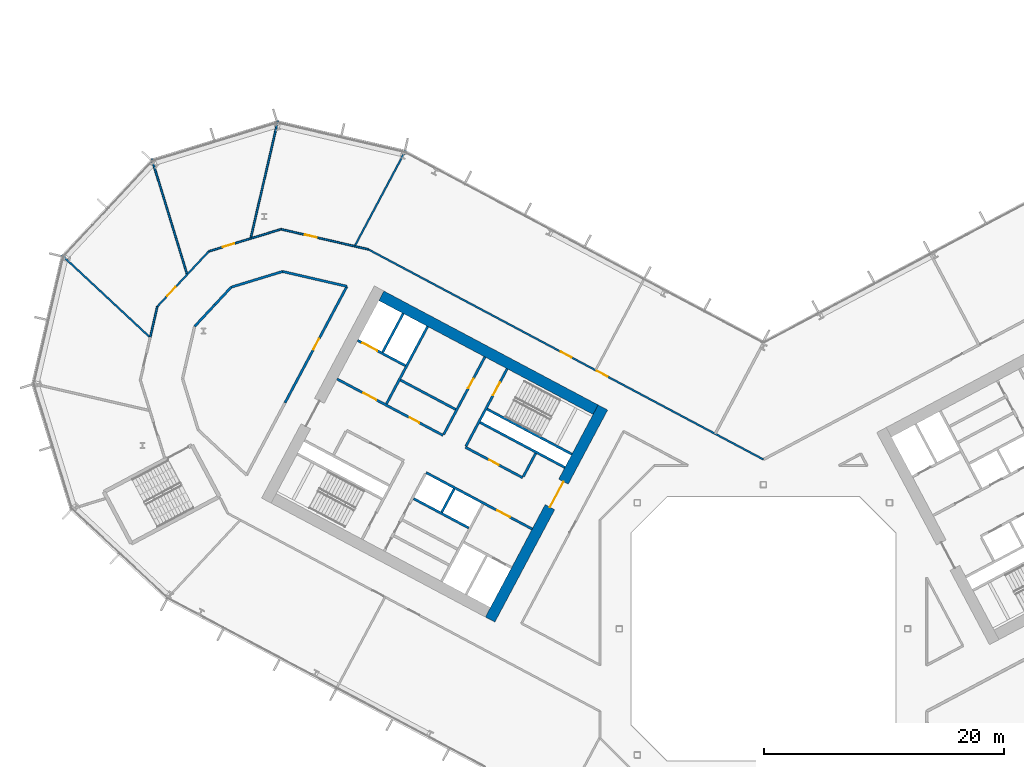
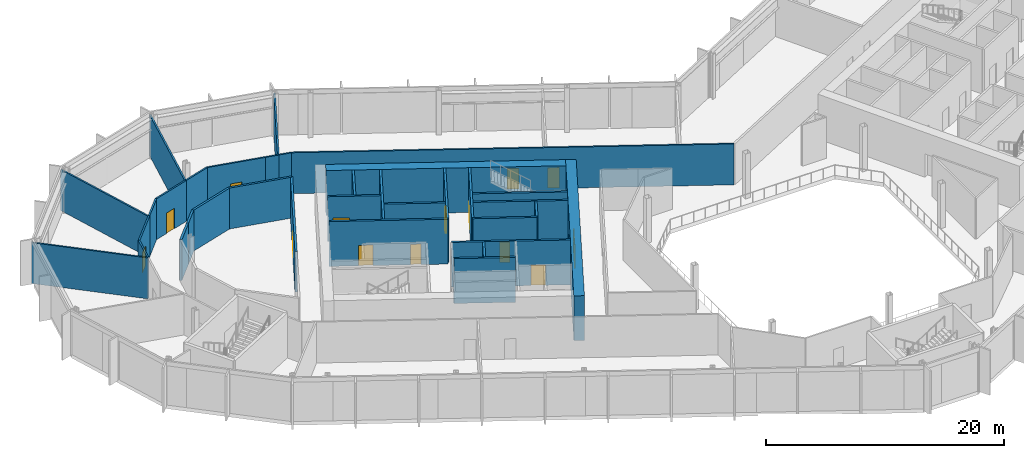
# One storey, part 15 of 30: 34 walls, 14 doors, 14 openings.
"""IFC4 building model written with IfcOpenShell, lengths in metres."""

from ifc_helpers import new_model, si_unit, direction, frame, frame_2d, origin, place, context, subcontext, project, spatial, rectangle, extrude, material, layer, layer_set, type_object, element, fill, save


model = new_model("IFC4")

# Units and contexts
model_context = context("Model", 3, precision=1e-05, world=origin(), true_north=direction((0.0, 1.0)))
body_context = subcontext(model_context, "Body", "Model", "MODEL_VIEW")
ifc_project = project(units=[si_unit("LENGTHUNIT", "METRE"), si_unit("AREAUNIT", "SQUARE_METRE"), si_unit("VOLUMEUNIT", "CUBIC_METRE"), si_unit("PLANEANGLEUNIT", "RADIAN"), si_unit("MASSUNIT", "GRAM", prefix="KILO")], contexts=[model_context])

# Site, building, storey
site_placement = place(None, origin())
site = spatial("IfcSite", under=ifc_project, at=site_placement, CompositionType="ELEMENT")
building_placement = place(site_placement, origin())
building = spatial("IfcBuilding", under=site, at=building_placement, Name="Cormorant Relay Tower", CompositionType="ELEMENT")
storey_placement = place(building_placement, frame((0.0, 0.0, 80.0)))
storey = spatial("IfcBuildingStorey", under=building, at=storey_placement, Name="L15", CompositionType="ELEMENT", Elevation=80.0)

# Walls
ifc_material_1 = material(Name="Concrete 40 MPa", Category="concrete")
ifc_layer_1 = layer(ifc_material_1, 0.199951171875)
ifc_layer_set_1 = layer_set([ifc_layer_1], Name="Core internal wall 200")
wall_type_1 = type_object("IfcWallType", Name="Core internal wall 200", PredefinedType="SOLIDWALL", material=ifc_layer_set_1)
wall_1_placement = place(storey_placement, frame((-25.744140625, 11.64990234375, 0.0), z_axis=(0.0, 0.0, 1.0), x_axis=(-0.469487830541, -0.882938942948, 0.0)))
element("IfcWall", 1, at=wall_1_placement, inside=storey, type_object=wall_type_1, Name="L15 core A shaft and room wall", PredefinedType="SOLIDWALL", context=body_context, shape_type="SweptSolid", body=[
    extrude(rectangle(XDim=2.2001953125, YDim=0.199951171875, at=frame_2d((1.10009765625, 0.0))), origin(), (0.0, 0.0, 1.0), 4.60009765625),
])
ifc_material_2 = material(Name="Concrete 50 MPa", Category="concrete")
ifc_layer_2 = layer(ifc_material_2, 0.199951171875)
ifc_layer_set_2 = layer_set([ifc_layer_2], Name="Core shaft wall 200")
wall_type_2 = type_object("IfcWallType", Name="Core shaft wall 200", PredefinedType="SHEAR", material=ifc_layer_set_2)
wall_2_placement = place(storey_placement, frame((-18.959716796875, 14.611328125, 0.0), z_axis=(0.0, 0.0, 1.0), x_axis=(-0.4694473164, -0.882960484464, 0.0)))
element("IfcWall", 2, at=wall_2_placement, inside=storey, type_object=wall_type_2, Name="L15 core A shaft wall", PredefinedType="SHEAR", context=body_context, shape_type="SweptSolid", body=[
    extrude(rectangle(XDim=2.199951171875, YDim=0.199951171875, at=frame_2d((1.10009765625, 0.0))), origin(), (0.0, 0.0, 1.0), 4.60009765625),
])

# Wall, opening, door
wall_3_placement = place(storey_placement, frame((-21.333251953125, 21.6494140625, 0.0), z_axis=(0.0, 0.0, 1.0), x_axis=(-0.469494272526, -0.882935517501, 0.0)))
wall_3 = element("IfcWall", 3, at=wall_3_placement, inside=storey, type_object=wall_type_2, Name="L15 core A shaft wall", PredefinedType="SHEAR", context=body_context, shape_type="SweptSolid", body=[
    extrude(rectangle(XDim=7.2998046875, YDim=0.199951171875, at=frame_2d((3.64990234375, 0.0))), origin(), (0.0, 0.0, 1.0), 4.60009765625),
])
opening_1_placement = place(wall_3_placement, frame((1.300048828125, 0.0, 0.0)))
opening_1 = element("IfcOpeningElement", 4, at=opening_1_placement, cuts=wall_3, Name="Opening CDB-024", PredefinedType="OPENING", context=body_context, shape_type="SweptSolid", body=[
    extrude(rectangle(XDim=1.199951171875, YDim=2.10009765625, at=frame_2d((0.60009765625, 1.050048828125))), frame((0.0, 0.10986328125, 0.0), z_axis=(0.0, -1.0, 0.0), x_axis=(1.0, 0.0, 0.0)), (0.0, 0.0, 1.0), 0.219970703125),
])
ifc_material_3 = material(Name="Steel fire door", Category="steel")
door_type_1 = type_object("IfcDoorType", Name="Core stair door 1200x2100", OperationType="SINGLE_SWING_LEFT", PredefinedType="DOOR", material=ifc_material_3)
door_1_placement = place(opening_1_placement, origin())
door_1 = element("IfcDoor", 5, at=door_1_placement, inside=storey, type_object=door_type_1, Name="Core stair door 1200x2100", OperationType="SINGLE_SWING_RIGHT", OverallHeight=2.10009765625, OverallWidth=1.199951171875, PredefinedType="DOOR", context=body_context, shape_type="SweptSolid", body=[
    extrude(rectangle(XDim=1.199951171875, YDim=2.10009765625, at=frame_2d((0.60009765625, 1.050048828125))), frame((0.0, 0.02490234375, 0.0), z_axis=(0.0, -1.0, 0.0), x_axis=(1.0, 0.0, 0.0)), (0.0, 0.0, 1.0), 0.050048828125),
])
fill(opening_1, door_1)

wall_4_placement = place(storey_placement, frame((-23.1875, 22.635498046875, 0.0), z_axis=(0.0, 0.0, 1.0), x_axis=(-0.469454336211, -0.882956752176, 0.0)))
wall_4 = element("IfcWall", 6, at=wall_4_placement, inside=storey, type_object=wall_type_2, Name="L15 core A shaft wall", PredefinedType="SHEAR", context=body_context, shape_type="SweptSolid", body=[
    extrude(rectangle(XDim=7.300048828125, YDim=0.199951171875, at=frame_2d((3.64990234375, 0.0))), origin(), (0.0, 0.0, 1.0), 4.60009765625),
])
opening_2_placement = place(wall_4_placement, frame((2.050048828125, 0.0, 0.0)))
opening_2 = element("IfcOpeningElement", 7, at=opening_2_placement, cuts=wall_4, Name="Opening CDD-132", PredefinedType="OPENING", context=body_context, shape_type="SweptSolid", body=[
    extrude(rectangle(XDim=0.89990234375, YDim=2.10009765625, at=frame_2d((0.449951171875, 1.050048828125))), frame((0.0, 0.10986328125, 0.0), z_axis=(0.0, -1.0, 0.0), x_axis=(1.0, 0.0, 0.0)), (0.0, 0.0, 1.0), 0.219970703125),
])
ifc_material_4 = material(Name="Steel fire door", Category="steel")
door_type_2 = type_object("IfcDoorType", Name="Core room door 900x2100", OperationType="SINGLE_SWING_LEFT", PredefinedType="DOOR", material=ifc_material_4)
door_2_placement = place(opening_2_placement, origin())
door_2 = element("IfcDoor", 8, at=door_2_placement, inside=storey, type_object=door_type_2, Name="Core room door 900x2100", OperationType="SINGLE_SWING_LEFT", OverallHeight=2.10009765625, OverallWidth=0.89990234375, PredefinedType="DOOR", context=body_context, shape_type="SweptSolid", body=[
    extrude(rectangle(XDim=0.89990234375, YDim=2.10009765625, at=frame_2d((0.449951171875, 1.050048828125))), frame((0.0, 0.02490234375, 0.0), z_axis=(0.0, -1.0, 0.0), x_axis=(1.0, 0.0, 0.0)), (0.0, 0.0, 1.0), 0.050048828125),
])
fill(opening_2, door_2)

# Walls
wall_5_placement = place(storey_placement, frame((-27.955322265625, 25.170654296875, 0.0), z_axis=(0.0, 0.0, 1.0), x_axis=(-0.469480409012, -0.88294288918, 0.0)))
element("IfcWall", 9, at=wall_5_placement, inside=storey, type_object=wall_type_2, Name="L15 core A shaft wall", PredefinedType="SHEAR", context=body_context, shape_type="SweptSolid", body=[
    extrude(rectangle(XDim=7.300048828125, YDim=0.199951171875, at=frame_2d((3.64990234375, 0.0))), origin(), (0.0, 0.0, 1.0), 4.60009765625),
])
wall_6_placement = place(storey_placement, frame((-29.986083984375, 26.250244140625, 0.0), z_axis=(0.0, 0.0, 1.0), x_axis=(-0.469494272526, -0.882935517501, 0.0)))
element("IfcWall", 10, at=wall_6_placement, inside=storey, type_object=wall_type_2, Name="L15 core A shaft wall", PredefinedType="SHEAR", context=body_context, shape_type="SweptSolid", body=[
    extrude(rectangle(XDim=3.64990234375, YDim=0.199951171875, at=frame_2d((1.824951171875, 0.0))), origin(), (0.0, 0.0, 1.0), 4.60009765625),
])
wall_7_placement = place(storey_placement, frame((-15.94189453125, 14.53564453125, 0.0), z_axis=(0.0, 0.0, 1.0), x_axis=(-0.882946947542, 0.469472776449, 0.0)))
element("IfcWall", 11, at=wall_7_placement, inside=storey, type_object=wall_type_2, Name="L15 core A shaft wall", PredefinedType="SHEAR", context=body_context, shape_type="SweptSolid", body=[
    extrude(rectangle(XDim=8.000244140625, YDim=0.199951171875, at=frame_2d((4.0, 0.0))), origin(), (0.0, 0.0, 1.0), 4.60009765625),
])

# Wall, opening, door
wall_8_placement = place(storey_placement, frame((-29.80419921875, 21.906494140625, 0.0), z_axis=(0.0, 0.0, 1.0), x_axis=(-0.882960433586, 0.469447412093, 0.0)))
wall_8 = element("IfcWall", 12, at=wall_8_placement, inside=storey, type_object=wall_type_2, Name="L15 core A shaft wall", PredefinedType="SHEAR", context=body_context, shape_type="SweptSolid", body=[
    extrude(rectangle(XDim=4.5, YDim=0.199951171875, at=frame_2d((2.25, 0.0))), origin(), (0.0, 0.0, 1.0), 4.60009765625),
])
opening_3_placement = place(wall_8_placement, frame((2.64990234375, 0.0, 0.0)))
opening_3 = element("IfcOpeningElement", 13, at=opening_3_placement, cuts=wall_8, Name="Opening LD3-009", PredefinedType="OPENING", context=body_context, shape_type="SweptSolid", body=[
    extrude(rectangle(XDim=1.39990234375, YDim=2.39990234375, at=frame_2d((0.699951171875, 1.199951171875))), frame((0.0, 0.10986328125, 0.0), z_axis=(0.0, -1.0, 0.0), x_axis=(1.0, 0.0, 0.0)), (0.0, 0.0, 1.0), 0.219970703125),
])
ifc_material_5 = material(Name="Stainless steel 316", Category="steel")
door_type_3 = type_object("IfcDoorType", Name="Lift landing door 1400x2400", OperationType="DOUBLE_DOOR_SLIDING", PredefinedType="DOOR", material=ifc_material_5)
door_3_placement = place(opening_3_placement, origin())
door_3 = element("IfcDoor", 14, at=door_3_placement, inside=storey, type_object=door_type_3, Name="SV1 landing door", OperationType="DOUBLE_DOOR_SLIDING", OverallHeight=2.39990234375, OverallWidth=1.39990234375, PredefinedType="DOOR", context=body_context, shape_type="SweptSolid", body=[
    extrude(rectangle(XDim=1.39990234375, YDim=2.39990234375, at=frame_2d((0.699951171875, 1.199951171875))), frame((0.0, 0.02490234375, 0.0), z_axis=(0.0, -1.0, 0.0), x_axis=(1.0, 0.0, 0.0)), (0.0, 0.0, 1.0), 0.050048828125),
])
fill(opening_3, door_3)

# Walls
wall_9_placement = place(storey_placement, frame((-16.52880859375, 13.43212890625, 0.0), z_axis=(0.0, 0.0, 1.0), x_axis=(-0.88295287151, 0.469461634952, 0.0)))
element("IfcWall", 15, at=wall_9_placement, inside=storey, type_object=wall_type_2, Name="L15 core A shaft wall", PredefinedType="SHEAR", context=body_context, shape_type="SweptSolid", body=[
    extrude(rectangle(XDim=7.999755859375, YDim=0.199951171875, at=frame_2d((4.0, 0.0))), origin(), (0.0, 0.0, 1.0), 4.60009765625),
])
wall_10_placement = place(storey_placement, frame((-25.623046875, 18.267578125, 0.0), z_axis=(0.0, 0.0, 1.0), x_axis=(-0.882953967957, 0.469459572775, 0.0)))
element("IfcWall", 16, at=wall_10_placement, inside=storey, type_object=wall_type_2, Name="L15 core A shaft wall", PredefinedType="SHEAR", context=body_context, shape_type="SweptSolid", body=[
    extrude(rectangle(XDim=5.199951171875, YDim=0.199951171875, at=frame_2d((2.60009765625, 0.0))), origin(), (0.0, 0.0, 1.0), 4.60009765625),
])

# Wall, opening, door
wall_11_placement = place(storey_placement, frame((-20.03955078125, 12.58056640625, 0.0), z_axis=(0.0, 0.0, 1.0), x_axis=(-0.882942972946, 0.469480251476, 0.0)))
wall_11 = element("IfcWall", 17, at=wall_11_placement, inside=storey, type_object=wall_type_2, Name="L15 core A shaft wall", PredefinedType="SHEAR", context=body_context, shape_type="SweptSolid", body=[
    extrude(rectangle(XDim=5.39990234375, YDim=0.199951171875, at=frame_2d((2.699951171875, 0.0))), origin(), (0.0, 0.0, 1.0), 4.60009765625),
])
opening_4_placement = place(wall_11_placement, frame((2.25, 0.0, 0.0)))
opening_4 = element("IfcOpeningElement", 18, at=opening_4_placement, cuts=wall_11, Name="Opening CDD-127", PredefinedType="OPENING", context=body_context, shape_type="SweptSolid", body=[
    extrude(rectangle(XDim=0.89990234375, YDim=2.10009765625, at=frame_2d((0.449951171875, 1.050048828125))), frame((0.0, 0.10986328125, 0.0), z_axis=(0.0, -1.0, 0.0), x_axis=(1.0, 0.0, 0.0)), (0.0, 0.0, 1.0), 0.219970703125),
])
door_4_placement = place(opening_4_placement, frame((0.89990234375, 0.0, 0.0), z_axis=(0.0, 0.0, 1.0), x_axis=(-1.0, 0.0, 0.0)))
door_4 = element("IfcDoor", 19, at=door_4_placement, inside=storey, type_object=door_type_2, Name="Core room door 900x2100", OperationType="SINGLE_SWING_RIGHT", OverallHeight=2.10009765625, OverallWidth=0.89990234375, PredefinedType="DOOR", context=body_context, shape_type="SweptSolid", body=[
    extrude(rectangle(XDim=0.89990234375, YDim=2.10009765625, at=frame_2d((0.449951171875, 1.050048828125))), frame((0.0, 0.02490234375, 0.0), z_axis=(0.0, -1.0, 0.0), x_axis=(1.0, 0.0, 0.0)), (0.0, 0.0, 1.0), 0.050048828125),
])
fill(opening_4, door_4)

# Wall, openings, doors
wall_12_placement = place(storey_placement, frame((-26.66162109375, 16.1015625, 0.0), z_axis=(0.0, 0.0, 1.0), x_axis=(-0.882940221191, 0.469485426614, 0.0)))
wall_12 = element("IfcWall", 20, at=wall_12_placement, inside=storey, type_object=wall_type_2, Name="L15 core A shaft wall", PredefinedType="SHEAR", context=body_context, shape_type="SweptSolid", body=[
    extrude(rectangle(XDim=10.0, YDim=0.199951171875, at=frame_2d((5.0, 0.0))), origin(), (0.0, 0.0, 1.0), 4.60009765625),
])
opening_5_placement = place(wall_12_placement, frame((6.300048828125, 0.0, 0.0)))
opening_5 = element("IfcOpeningElement", 21, at=opening_5_placement, cuts=wall_12, Name="Opening CDC-018", PredefinedType="OPENING", context=body_context, shape_type="SweptSolid", body=[
    extrude(rectangle(XDim=1.199951171875, YDim=2.10009765625, at=frame_2d((0.60009765625, 1.050048828125))), frame((0.0, 0.10986328125, 0.0), z_axis=(0.0, -1.0, 0.0), x_axis=(1.0, 0.0, 0.0)), (0.0, 0.0, 1.0), 0.219970703125),
])
opening_6_placement = place(wall_12_placement, frame((2.25, 0.0, 0.0)))
opening_6 = element("IfcOpeningElement", 22, at=opening_6_placement, cuts=wall_12, Name="Opening CDD-128", PredefinedType="OPENING", context=body_context, shape_type="SweptSolid", body=[
    extrude(rectangle(XDim=0.89990234375, YDim=2.10009765625, at=frame_2d((0.449951171875, 1.050048828125))), frame((0.0, 0.10986328125, 0.0), z_axis=(0.0, -1.0, 0.0), x_axis=(1.0, 0.0, 0.0)), (0.0, 0.0, 1.0), 0.219970703125),
])
ifc_material_6 = material(Name="Steel fire door", Category="steel")
door_type_4 = type_object("IfcDoorType", Name="Core lobby door 1200x2100", OperationType="SINGLE_SWING_LEFT", PredefinedType="DOOR", material=ifc_material_6)
door_5_placement = place(opening_5_placement, origin())
door_5 = element("IfcDoor", 23, at=door_5_placement, inside=storey, type_object=door_type_4, Name="Core lobby door 1200x2100", OperationType="SINGLE_SWING_LEFT", OverallHeight=2.10009765625, OverallWidth=1.199951171875, PredefinedType="DOOR", context=body_context, shape_type="SweptSolid", body=[
    extrude(rectangle(XDim=1.199951171875, YDim=2.10009765625, at=frame_2d((0.60009765625, 1.050048828125))), frame((0.0, 0.02490234375, 0.0), z_axis=(0.0, -1.0, 0.0), x_axis=(1.0, 0.0, 0.0)), (0.0, 0.0, 1.0), 0.050048828125),
])
fill(opening_5, door_5)
door_6_placement = place(opening_6_placement, origin())
door_6 = element("IfcDoor", 24, at=door_6_placement, inside=storey, type_object=door_type_2, Name="Core room door 900x2100", OperationType="SINGLE_SWING_LEFT", OverallHeight=2.10009765625, OverallWidth=0.89990234375, PredefinedType="DOOR", context=body_context, shape_type="SweptSolid", body=[
    extrude(rectangle(XDim=0.89990234375, YDim=2.10009765625, at=frame_2d((0.449951171875, 1.050048828125))), frame((0.0, 0.02490234375, 0.0), z_axis=(0.0, -1.0, 0.0), x_axis=(1.0, 0.0, 0.0)), (0.0, 0.0, 1.0), 0.050048828125),
])
fill(opening_6, door_6)

# Wall, opening, door
wall_13_placement = place(storey_placement, frame((-19.251708984375, 8.31103515625, 0.0), z_axis=(0.0, 0.0, 1.0), x_axis=(-0.882955722218, 0.469456273365, 0.0)))
wall_13 = element("IfcWall", 25, at=wall_13_placement, inside=storey, type_object=wall_type_2, Name="L15 core A shaft wall", PredefinedType="SHEAR", context=body_context, shape_type="SweptSolid", body=[
    extrude(rectangle(XDim=10.0, YDim=0.199951171875, at=frame_2d((5.0, 0.0))), origin(), (0.0, 0.0, 1.0), 4.60009765625),
])
opening_7_placement = place(wall_13_placement, frame((2.10009765625, 0.0, 0.0)))
opening_7 = element("IfcOpeningElement", 26, at=opening_7_placement, cuts=wall_13, Name="Opening CDC-017", PredefinedType="OPENING", context=body_context, shape_type="SweptSolid", body=[
    extrude(rectangle(XDim=1.199951171875, YDim=2.10009765625, at=frame_2d((0.60009765625, 1.050048828125))), frame((0.0, 0.10986328125, 0.0), z_axis=(0.0, -1.0, 0.0), x_axis=(1.0, 0.0, 0.0)), (0.0, 0.0, 1.0), 0.219970703125),
])
door_7_placement = place(opening_7_placement, origin())
door_7 = element("IfcDoor", 27, at=door_7_placement, inside=storey, type_object=door_type_4, Name="Core lobby door 1200x2100", OperationType="SINGLE_SWING_RIGHT", OverallHeight=2.10009765625, OverallWidth=1.199951171875, PredefinedType="DOOR", context=body_context, shape_type="SweptSolid", body=[
    extrude(rectangle(XDim=1.199951171875, YDim=2.10009765625, at=frame_2d((0.60009765625, 1.050048828125))), frame((0.0, 0.02490234375, 0.0), z_axis=(0.0, -1.0, 0.0), x_axis=(1.0, 0.0, 0.0)), (0.0, 0.0, 1.0), 0.050048828125),
])
fill(opening_7, door_7)

# Wall
wall_14_placement = place(storey_placement, frame((-24.5283203125, 8.3984375, 0.0), z_axis=(0.0, 0.0, 1.0), x_axis=(-0.882953967957, 0.469459572775, 0.0)))
element("IfcWall", 28, at=wall_14_placement, inside=storey, type_object=wall_type_2, Name="L15 core A shaft wall", PredefinedType="SHEAR", context=body_context, shape_type="SweptSolid", body=[
    extrude(rectangle(XDim=5.199951171875, YDim=0.199951171875, at=frame_2d((2.60009765625, 0.0))), origin(), (0.0, 0.0, 1.0), 4.60009765625),
])

# Wall, opening, door
ifc_material_7 = material(Name="Concrete 70 MPa", Category="concrete")
ifc_layer_3 = layer(ifc_material_7, 0.89990234375)
ifc_layer_set_3 = layer_set([ifc_layer_3], Name="Core wall 900")
wall_type_3 = type_object("IfcWallType", Name="Core wall 900", PredefinedType="SHEAR", material=ifc_layer_set_3)
wall_15_placement = place(storey_placement, frame((-13.361572265625, 18.43017578125, 0.0), z_axis=(0.0, 0.0, 1.0), x_axis=(-0.46947084998, -0.882947971864, 0.0)))
wall_15 = element("IfcWall", 29, at=wall_15_placement, inside=storey, type_object=wall_type_3, Name="L15 core A wall", PredefinedType="SHEAR", context=body_context, shape_type="SweptSolid", body=[
    extrude(rectangle(XDim=20.0, YDim=0.89990234375, at=frame_2d((10.0, 0.0))), origin(), (0.0, 0.0, 1.0), 4.60009765625),
])
opening_8_placement = place(wall_15_placement, frame((7.0, 0.0, 0.0)))
opening_8 = element("IfcOpeningElement", 30, at=opening_8_placement, cuts=wall_15, Name="Opening CDA-021", PredefinedType="OPENING", context=body_context, shape_type="SweptSolid", body=[
    extrude(rectangle(XDim=2.39990234375, YDim=2.39990234375, at=frame_2d((1.199951171875, 1.199951171875))), frame((0.0, 0.4599609375, 0.0), z_axis=(0.0, -1.0, 0.0), x_axis=(1.0, 0.0, 0.0)), (0.0, 0.0, 1.0), 0.919921875),
])
ifc_material_8 = material(Name="Steel fire door", Category="steel")
door_type_5 = type_object("IfcDoorType", Name="Core lobby door 2400x2400", OperationType="DOUBLE_DOOR_SINGLE_SWING", PredefinedType="DOOR", material=ifc_material_8)
door_8_placement = place(opening_8_placement, origin())
door_8 = element("IfcDoor", 31, at=door_8_placement, inside=storey, type_object=door_type_5, Name="Core lobby door 2400x2400", OperationType="DOUBLE_DOOR_SINGLE_SWING", OverallHeight=2.39990234375, OverallWidth=2.39990234375, PredefinedType="DOOR", context=body_context, shape_type="SweptSolid", body=[
    extrude(rectangle(XDim=2.39990234375, YDim=2.39990234375, at=frame_2d((1.199951171875, 1.199951171875))), frame((0.0, 0.02490234375, 0.0), z_axis=(0.0, -1.0, 0.0), x_axis=(1.0, 0.0, 0.0)), (0.0, 0.0, 1.0), 0.050048828125),
])
fill(opening_8, door_8)

# Walls
wall_16_placement = place(storey_placement, frame((-13.97021484375, 18.244140625, 0.0), z_axis=(0.0, 0.0, 1.0), x_axis=(-0.88294509198, 0.469476266226, 0.0)))
element("IfcWall", 32, at=wall_16_placement, inside=storey, type_object=wall_type_3, Name="L15 core A wall", PredefinedType="SHEAR", context=body_context, shape_type="SweptSolid", body=[
    extrude(rectangle(XDim=20.199951171875, YDim=0.89990234375, at=frame_2d((10.10009765625, 0.0))), origin(), (0.0, 0.0, 1.0), 4.60009765625),
])
ifc_material_9 = material(Name="Fire-rated gypsum board partition")
ifc_layer_4 = layer(ifc_material_9, 0.199951171875)
ifc_layer_set_4 = layer_set([ifc_layer_4], Name="Fire-rated gypsum partition 200")
wall_type_4 = type_object("IfcWallType", Name="Fire-rated gypsum partition 200", PredefinedType="PARTITIONING", material=ifc_layer_set_4)
wall_17_placement = place(storey_placement, frame((-47.35107421875, 25.177001953125, 0.0), z_axis=(0.0, 0.0, 1.0), x_axis=(0.681950982626, 0.731397878925, 0.0)))
element("IfcWall", 33, at=wall_17_placement, inside=storey, type_object=wall_type_4, Name="wall/L15/part/13", PredefinedType="PARTITIONING", context=body_context, shape_type="SweptSolid", body=[
    extrude(rectangle(XDim=2.4638671875, YDim=0.199951171875, at=frame_2d((1.23193359375, 0.0))), origin(), (0.0, 0.0, 1.0), 4.199951171875),
])
wall_18_placement = place(storey_placement, frame((-40.033935546875, 29.7490234375, 0.0), z_axis=(0.0, 0.0, 1.0), x_axis=(-0.956357512161, -0.29219909126, 0.0)))
element("IfcWall", 34, at=wall_18_placement, inside=storey, type_object=wall_type_4, Name="wall/L15/part/19", PredefinedType="PARTITIONING", context=body_context, shape_type="SweptSolid", body=[
    extrude(rectangle(XDim=4.4658203125, YDim=0.199951171875, at=frame_2d((2.23291015625, 0.0))), origin(), (0.0, 0.0, 1.0), 4.199951171875),
])
wall_19_placement = place(storey_placement, frame((-44.304931640625, 28.444091796875, 0.0), z_axis=(0.0, 0.0, 1.0), x_axis=(-0.681931663517, -0.731415891469, 0.0)))
element("IfcWall", 35, at=wall_19_placement, inside=storey, type_object=wall_type_4, Name="wall/L15/part/20", PredefinedType="PARTITIONING", context=body_context, shape_type="SweptSolid", body=[
    extrude(rectangle(XDim=2.003173828125, YDim=0.199951171875, at=frame_2d((1.00146484375, 0.0))), origin(), (0.0, 0.0, 1.0), 4.199951171875),
])
wall_20_placement = place(storey_placement, frame((-34.673095703125, 28.511962890625, 0.0), z_axis=(0.0, 0.0, 1.0), x_axis=(-0.974393439342, 0.224849784003, 0.0)))
element("IfcWall", 36, at=wall_20_placement, inside=storey, type_object=wall_type_4, Name="wall/L15/part/31", PredefinedType="PARTITIONING", context=body_context, shape_type="SweptSolid", body=[
    extrude(rectangle(XDim=5.501708984375, YDim=0.199951171875, at=frame_2d((2.7509765625, 0.0))), origin(), (0.0, 0.0, 1.0), 4.199951171875),
])

# Wall, opening, door
wall_21_placement = place(storey_placement, frame((-34.673095703125, 28.511962890625, 0.0), z_axis=(0.0, 0.0, 1.0), x_axis=(-0.469440333182, -0.882964197226, 0.0)))
wall_21 = element("IfcWall", 37, at=wall_21_placement, inside=storey, type_object=wall_type_4, Name="wall/L15/part/32", PredefinedType="PARTITIONING", context=body_context, shape_type="SweptSolid", body=[
    extrude(rectangle(XDim=10.9765625, YDim=0.199951171875, at=frame_2d((5.48828125, 0.0))), origin(), (0.0, 0.0, 1.0), 4.199951171875),
])
opening_9_placement = place(wall_21_placement, frame((4.949951171875, 0.0, 0.0)))
opening_9 = element("IfcOpeningElement", 38, at=opening_9_placement, cuts=wall_21, Name="Opening FD1-092", PredefinedType="OPENING", context=body_context, shape_type="SweptSolid", body=[
    extrude(rectangle(XDim=1.0, YDim=2.10009765625, at=frame_2d((0.5, 1.050048828125))), frame((0.0, 0.10986328125, 0.0), z_axis=(0.0, -1.0, 0.0), x_axis=(1.0, 0.0, 0.0)), (0.0, 0.0, 1.0), 0.219970703125),
])
ifc_material_10 = material(Name="Fire-rated steel door", Category="steel")
door_type_6 = type_object("IfcDoorType", Name="Fire door 1000 x 2100", OperationType="SINGLE_SWING_LEFT", PredefinedType="DOOR", material=ifc_material_10)
door_9_placement = place(opening_9_placement, origin())
door_9 = element("IfcDoor", 39, at=door_9_placement, inside=storey, type_object=door_type_6, Name="door/L15/1", OperationType="SINGLE_SWING_LEFT", OverallHeight=2.10009765625, OverallWidth=1.0, PredefinedType="DOOR", context=body_context, shape_type="SweptSolid", body=[
    extrude(rectangle(XDim=1.0, YDim=2.10009765625, at=frame_2d((0.5, 1.050048828125))), frame((0.0, 0.02490234375, 0.0), z_axis=(0.0, -1.0, 0.0), x_axis=(1.0, 0.0, 0.0)), (0.0, 0.0, 1.0), 0.050048828125),
])
fill(opening_9, door_9)

# Wall
ifc_material_11 = material(Name="Gypsum board partition")
ifc_layer_5 = layer(ifc_material_11, 0.14990234375)
ifc_layer_set_5 = layer_set([ifc_layer_5], Name="Gypsum board partition 150")
wall_type_5 = type_object("IfcWallType", Name="Gypsum board partition 150", PredefinedType="PARTITIONING", material=ifc_layer_set_5)
wall_22_placement = place(storey_placement, frame((-58.427001953125, 31.125, 0.0), z_axis=(0.0, 0.0, 1.0), x_axis=(0.731473963822, -0.681869371838, 0.0)))
element("IfcWall", 40, at=wall_22_placement, inside=storey, type_object=wall_type_5, Name="wall/L15/part/2", PredefinedType="PARTITIONING", context=body_context, shape_type="SweptSolid", body=[
    extrude(rectangle(XDim=10.079833984375, YDim=0.14990234375, at=frame_2d((5.0400390625, 0.0))), origin(), (0.0, 0.0, 1.0), 4.199951171875),
])

# Wall, opening, door
wall_23_placement = place(storey_placement, frame((-47.93310546875, 29.5380859375, 0.0), z_axis=(0.0, 0.0, 1.0), x_axis=(-0.682088017664, -0.731270084277, 0.0)))
wall_23 = element("IfcWall", 41, at=wall_23_placement, inside=storey, type_object=wall_type_5, Name="wall/L15/part/7", PredefinedType="PARTITIONING", context=body_context, shape_type="SweptSolid", body=[
    extrude(rectangle(XDim=3.703125, YDim=0.14990234375, at=frame_2d((1.8515625, 0.0))), origin(), (0.0, 0.0, 1.0), 4.199951171875),
])
opening_10_placement = place(wall_23_placement, frame((1.486083984375, 0.0, 0.0)))
opening_10 = element("IfcOpeningElement", 42, at=opening_10_placement, cuts=wall_23, Name="Opening D1-036", PredefinedType="OPENING", context=body_context, shape_type="SweptSolid", body=[
    extrude(rectangle(XDim=1.0, YDim=2.10009765625, at=frame_2d((0.5, 1.050048828125))), frame((0.0, 0.0849609375, 0.0), z_axis=(0.0, -1.0, 0.0), x_axis=(1.0, 0.0, 0.0)), (0.0, 0.0, 1.0), 0.169921875),
])
ifc_material_12 = material(Name="Painted steel door", Category="steel")
door_type_7 = type_object("IfcDoorType", Name="Single door 1000 x 2100", OperationType="SINGLE_SWING_LEFT", PredefinedType="DOOR", material=ifc_material_12)
door_10_placement = place(opening_10_placement, frame((1.0, 0.0, 0.0), z_axis=(0.0, 0.0, 1.0), x_axis=(-1.0, 0.0, 0.0)))
door_10 = element("IfcDoor", 43, at=door_10_placement, inside=storey, type_object=door_type_7, Name="door/L15/15", OperationType="SINGLE_SWING_RIGHT", OverallHeight=2.10009765625, OverallWidth=1.0, PredefinedType="DOOR", context=body_context, shape_type="SweptSolid", body=[
    extrude(rectangle(XDim=1.0, YDim=2.10009765625, at=frame_2d((0.5, 1.050048828125))), frame((0.0, 0.02490234375, 0.0), z_axis=(0.0, -1.0, 0.0), x_axis=(1.0, 0.0, 0.0)), (0.0, 0.0, 1.0), 0.050048828125),
])
fill(opening_10, door_10)

# Walls
wall_24_placement = place(storey_placement, frame((-50.458984375, 26.830078125, 0.0), z_axis=(0.0, 0.0, 1.0), x_axis=(-0.225121568864, -0.974330682691, 0.0)))
element("IfcWall", 44, at=wall_24_placement, inside=storey, type_object=wall_type_5, Name="wall/L15/part/8", PredefinedType="PARTITIONING", context=body_context, shape_type="SweptSolid", body=[
    extrude(rectangle(XDim=2.58544921875, YDim=0.14990234375, at=frame_2d((1.292724609375, 0.0))), origin(), (0.0, 0.0, 1.0), 4.199951171875),
])
wall_25_placement = place(storey_placement, frame((-50.922119140625, 39.133056640625, 0.0), z_axis=(0.0, 0.0, 1.0), x_axis=(0.292463432429, -0.956276707178, 0.0)))
element("IfcWall", 45, at=wall_25_placement, inside=storey, type_object=wall_type_5, Name="wall/L15/part/9", PredefinedType="PARTITIONING", context=body_context, shape_type="SweptSolid", body=[
    extrude(rectangle(XDim=10.079833984375, YDim=0.14990234375, at=frame_2d((5.0400390625, 0.0))), origin(), (0.0, 0.0, 1.0), 4.199951171875),
])

# Wall, opening, door
wall_26_placement = place(storey_placement, frame((-42.653076171875, 32.50390625, 0.0), z_axis=(0.0, 0.0, 1.0), x_axis=(-0.95632425254, -0.292307926687, 0.0)))
wall_26 = element("IfcWall", 46, at=wall_26_placement, inside=storey, type_object=wall_type_5, Name="wall/L15/part/17", PredefinedType="PARTITIONING", context=body_context, shape_type="SweptSolid", body=[
    extrude(rectangle(XDim=3.677490234375, YDim=0.14990234375, at=frame_2d((1.8388671875, 0.0))), origin(), (0.0, 0.0, 1.0), 4.199951171875),
])
opening_11_placement = place(wall_26_placement, frame((1.4609375, 0.0, 0.0)))
opening_11 = element("IfcOpeningElement", 47, at=opening_11_placement, cuts=wall_26, Name="Opening D1-035", PredefinedType="OPENING", context=body_context, shape_type="SweptSolid", body=[
    extrude(rectangle(XDim=1.0, YDim=2.10009765625, at=frame_2d((0.5, 1.050048828125))), frame((0.0, 0.0849609375, 0.0), z_axis=(0.0, -1.0, 0.0), x_axis=(1.0, 0.0, 0.0)), (0.0, 0.0, 1.0), 0.169921875),
])
door_11_placement = place(opening_11_placement, frame((1.0, 0.0, 0.0), z_axis=(0.0, 0.0, 1.0), x_axis=(-1.0, 0.0, 0.0)))
door_11 = element("IfcDoor", 48, at=door_11_placement, inside=storey, type_object=door_type_7, Name="door/L15/14", OperationType="SINGLE_SWING_RIGHT", OverallHeight=2.10009765625, OverallWidth=1.0, PredefinedType="DOOR", context=body_context, shape_type="SweptSolid", body=[
    extrude(rectangle(XDim=1.0, YDim=2.10009765625, at=frame_2d((0.5, 1.050048828125))), frame((0.0, 0.02490234375, 0.0), z_axis=(0.0, -1.0, 0.0), x_axis=(1.0, 0.0, 0.0)), (0.0, 0.0, 1.0), 0.050048828125),
])
fill(opening_11, door_11)

# Walls
wall_27_placement = place(storey_placement, frame((-46.169921875, 31.428955078125, 0.0), z_axis=(0.0, 0.0, 1.0), x_axis=(-0.68198172509, -0.731369213628, 0.0)))
element("IfcWall", 49, at=wall_27_placement, inside=storey, type_object=wall_type_5, Name="wall/L15/part/18", PredefinedType="PARTITIONING", context=body_context, shape_type="SweptSolid", body=[
    extrude(rectangle(XDim=2.58544921875, YDim=0.14990234375, at=frame_2d((1.292724609375, 0.0))), origin(), (0.0, 0.0, 1.0), 4.199951171875),
])
wall_28_placement = place(storey_placement, frame((-40.4189453125, 42.31494140625, 0.0), z_axis=(0.0, 0.0, 1.0), x_axis=(-0.224924959868, -0.974376088802, 0.0)))
element("IfcWall", 50, at=wall_28_placement, inside=storey, type_object=wall_type_5, Name="wall/L15/part/28", PredefinedType="PARTITIONING", context=body_context, shape_type="SweptSolid", body=[
    extrude(rectangle(XDim=10.079345703125, YDim=0.14990234375, at=frame_2d((5.03955078125, 0.0))), origin(), (0.0, 0.0, 1.0), 4.199951171875),
])
wall_29_placement = place(storey_placement, frame((-40.156005859375, 33.26708984375, 0.0), z_axis=(0.0, 0.0, 1.0), x_axis=(-0.956331245239, -0.292285048164, 0.0)))
element("IfcWall", 51, at=wall_29_placement, inside=storey, type_object=wall_type_5, Name="wall/L15/part/29", PredefinedType="PARTITIONING", context=body_context, shape_type="SweptSolid", body=[
    extrude(rectangle(XDim=2.611083984375, YDim=0.14990234375, at=frame_2d((1.3056640625, 0.0))), origin(), (0.0, 0.0, 1.0), 4.199951171875),
])

# Wall, opening, door
wall_30_placement = place(storey_placement, frame((-40.156982421875, 33.26708984375, 0.0), z_axis=(0.0, 0.0, 1.0), x_axis=(0.974407195754, -0.224790161846, 0.0)))
wall_30 = element("IfcWall", 52, at=wall_30_placement, inside=storey, type_object=wall_type_5, Name="wall/L15/part/30", PredefinedType="PARTITIONING", context=body_context, shape_type="SweptSolid", body=[
    extrude(rectangle(XDim=5.142578125, YDim=0.14990234375, at=frame_2d((2.5712890625, 0.0))), origin(), (0.0, 0.0, 1.0), 4.199951171875),
])
opening_12_placement = place(wall_30_placement, frame((2.050048828125, 0.0, 0.0)))
opening_12 = element("IfcOpeningElement", 53, at=opening_12_placement, cuts=wall_30, Name="Opening D1-034", PredefinedType="OPENING", context=body_context, shape_type="SweptSolid", body=[
    extrude(rectangle(XDim=1.0, YDim=2.10009765625, at=frame_2d((0.5, 1.050048828125))), frame((0.0, 0.0849609375, 0.0), z_axis=(0.0, -1.0, 0.0), x_axis=(1.0, 0.0, 0.0)), (0.0, 0.0, 1.0), 0.169921875),
])
door_12_placement = place(opening_12_placement, origin())
door_12 = element("IfcDoor", 54, at=door_12_placement, inside=storey, type_object=door_type_7, Name="door/L15/13", OperationType="SINGLE_SWING_RIGHT", OverallHeight=2.10009765625, OverallWidth=1.0, PredefinedType="DOOR", context=body_context, shape_type="SweptSolid", body=[
    extrude(rectangle(XDim=1.0, YDim=2.10009765625, at=frame_2d((0.5, 1.050048828125))), frame((0.0, 0.02490234375, 0.0), z_axis=(0.0, -1.0, 0.0), x_axis=(1.0, 0.0, 0.0)), (0.0, 0.0, 1.0), 0.050048828125),
])
fill(opening_12, door_12)

# Walls
wall_31_placement = place(storey_placement, frame((-35.14599609375, 32.111083984375, 0.0), z_axis=(0.0, 0.0, 1.0), x_axis=(0.974164552701, -0.225839377125, 0.0)))
element("IfcWall", 55, at=wall_31_placement, inside=storey, type_object=wall_type_5, Name="wall/L15/part/34", PredefinedType="PARTITIONING", context=body_context, shape_type="SweptSolid", body=[
    extrude(rectangle(XDim=1.1826171875, YDim=0.14990234375, at=frame_2d((0.59130859375, 0.0))), origin(), (0.0, 0.0, 1.0), 4.199951171875),
])
wall_32_placement = place(storey_placement, frame((-29.779052734375, 39.845947265625, 0.0), z_axis=(0.0, 0.0, 1.0), x_axis=(-0.469479235169, -0.882943513338, 0.0)))
element("IfcWall", 56, at=wall_32_placement, inside=storey, type_object=wall_type_5, Name="wall/L15/part/35", PredefinedType="PARTITIONING", context=body_context, shape_type="SweptSolid", body=[
    extrude(rectangle(XDim=9.052490234375, YDim=0.14990234375, at=frame_2d((4.5263671875, 0.0))), origin(), (0.0, 0.0, 1.0), 4.199951171875),
])
wall_33_placement = place(storey_placement, frame((-32.89404296875, 31.590087890625, 0.0), z_axis=(0.0, 0.0, 1.0), x_axis=(-0.97437296606, 0.22493848717, 0.0)))
element("IfcWall", 57, at=wall_33_placement, inside=storey, type_object=wall_type_5, Name="wall/L15/part/36", PredefinedType="PARTITIONING", context=body_context, shape_type="SweptSolid", body=[
    extrude(rectangle(XDim=1.128662109375, YDim=0.14990234375, at=frame_2d((0.564453125, 0.0))), origin(), (0.0, 0.0, 1.0), 4.199951171875),
])

# Wall, openings, doors
wall_34_placement = place(storey_placement, frame((-32.89404296875, 31.590087890625, 0.0), z_axis=(0.0, 0.0, 1.0), x_axis=(0.882948512555, -0.469469833085, 0.0)))
wall_34 = element("IfcWall", 58, at=wall_34_placement, inside=storey, type_object=wall_type_5, Name="wall/L15/part/37", PredefinedType="PARTITIONING", context=body_context, shape_type="SweptSolid", body=[
    extrude(rectangle(XDim=37.2548828125, YDim=0.14990234375, at=frame_2d((18.62744140625, 0.0))), origin(), (0.0, 0.0, 1.0), 4.199951171875),
])
opening_13_placement = place(wall_34_placement, frame((21.550048828125, 0.0, 0.0)))
opening_13 = element("IfcOpeningElement", 59, at=opening_13_placement, cuts=wall_34, Name="Opening D1-032", PredefinedType="OPENING", context=body_context, shape_type="SweptSolid", body=[
    extrude(rectangle(XDim=1.0, YDim=2.10009765625, at=frame_2d((0.5, 1.050048828125))), frame((0.0, 0.0849609375, 0.0), z_axis=(0.0, -1.0, 0.0), x_axis=(1.0, 0.0, 0.0)), (0.0, 0.0, 1.0), 0.169921875),
])
opening_14_placement = place(wall_34_placement, frame((18.14990234375, 0.0, 0.0)))
opening_14 = element("IfcOpeningElement", 60, at=opening_14_placement, cuts=wall_34, Name="Opening D1-033", PredefinedType="OPENING", context=body_context, shape_type="SweptSolid", body=[
    extrude(rectangle(XDim=1.0, YDim=2.10009765625, at=frame_2d((0.5, 1.050048828125))), frame((0.0, 0.0849609375, 0.0), z_axis=(0.0, -1.0, 0.0), x_axis=(1.0, 0.0, 0.0)), (0.0, 0.0, 1.0), 0.169921875),
])
door_13_placement = place(opening_13_placement, origin())
door_13 = element("IfcDoor", 61, at=door_13_placement, inside=storey, type_object=door_type_7, Name="door/L15/11", OperationType="SINGLE_SWING_LEFT", OverallHeight=2.10009765625, OverallWidth=1.0, PredefinedType="DOOR", context=body_context, shape_type="SweptSolid", body=[
    extrude(rectangle(XDim=1.0, YDim=2.10009765625, at=frame_2d((0.5, 1.050048828125))), frame((0.0, 0.02490234375, 0.0), z_axis=(0.0, -1.0, 0.0), x_axis=(1.0, 0.0, 0.0)), (0.0, 0.0, 1.0), 0.050048828125),
])
fill(opening_13, door_13)
door_14_placement = place(opening_14_placement, origin())
door_14 = element("IfcDoor", 62, at=door_14_placement, inside=storey, type_object=door_type_7, Name="door/L15/12", OperationType="SINGLE_SWING_RIGHT", OverallHeight=2.10009765625, OverallWidth=1.0, PredefinedType="DOOR", context=body_context, shape_type="SweptSolid", body=[
    extrude(rectangle(XDim=1.0, YDim=2.10009765625, at=frame_2d((0.5, 1.050048828125))), frame((0.0, 0.02490234375, 0.0), z_axis=(0.0, -1.0, 0.0), x_axis=(1.0, 0.0, 0.0)), (0.0, 0.0, 1.0), 0.050048828125),
])
fill(opening_14, door_14)

save(model, "model.ifc")
